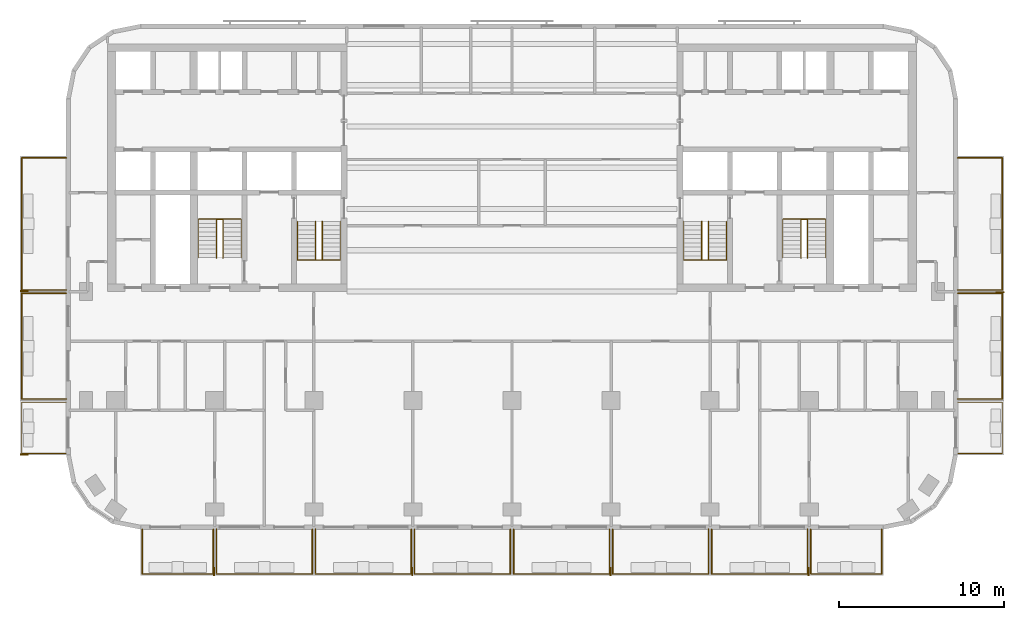
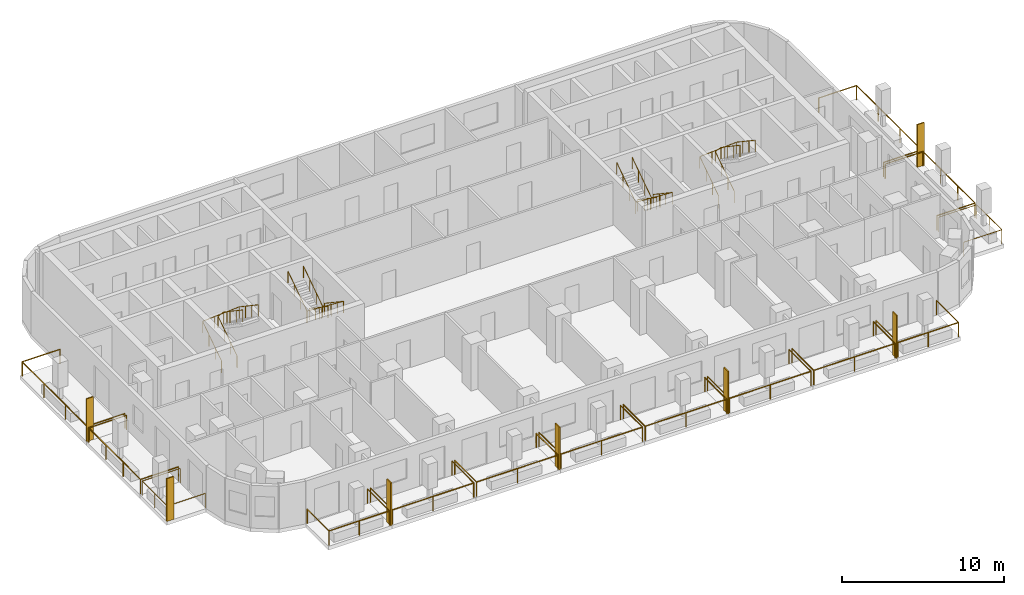
# One storey, part 10 of 12: 22 railings, 7 shading devices.
"""IFC4 building model written with IfcOpenShell, lengths in metres."""

from ifc_helpers import new_model, si_unit, direction, frame, origin, origin_2d, place, context, subcontext, project, spatial, rectangle, circle, extrude, material, layer, layer_set, type_object, element, save


model = new_model("IFC4")

# Units and contexts
model_context = context("Model", 3, precision=1e-05, world=origin(), true_north=direction((0.0, 1.0)))
body_context = subcontext(model_context, "Body", "Model", "MODEL_VIEW")
ifc_project = project(units=[si_unit("LENGTHUNIT", "METRE"), si_unit("AREAUNIT", "SQUARE_METRE"), si_unit("VOLUMEUNIT", "CUBIC_METRE"), si_unit("PLANEANGLEUNIT", "RADIAN"), si_unit("MASSUNIT", "GRAM", prefix="KILO")], contexts=[model_context])

# Site, building, storey
site_placement = place(None, origin())
site = spatial("IfcSite", under=ifc_project, at=site_placement, CompositionType="ELEMENT")
building_placement = place(site_placement, origin())
building = spatial("IfcBuilding", under=site, at=building_placement, Name="Torana Hotel and Residences", CompositionType="ELEMENT")
storey_placement = place(building_placement, frame((0.0, 0.0, 197.60009765625)))
storey = spatial("IfcBuildingStorey", under=building, at=storey_placement, Name="L51", CompositionType="ELEMENT", Elevation=197.60009765625)

# Shading devices
ifc_material_1 = material(Name="Black powder coated aluminium", Category="aluminium")
ifc_layer = layer(ifc_material_1, 0.080078125)
ifc_layer_set = layer_set([ifc_layer], Name="FN1 VERTICAL FIN 500x80")
shading_device_type = type_object("IfcShadingDeviceType", Name="FN1 VERTICAL FIN 500x80", PredefinedType="USERDEFINED", material=ifc_layer_set)
for number, where, z_axis, x_axis, name in (
    (1, (-18.0400390625, -31.949951171875, 0.0), (0.0, 0.0, 1.0), (-1.0, 0.0, 0.0), "Fin 01"),
    (2, (-6.0400390625, -31.949951171875, 0.0), (0.0, 0.0, 1.0), (-1.0, 0.0, 0.0), "Fin 03"),
    (3, (5.9599609375, -31.949951171875, 0.0), (0.0, 0.0, 1.0), (-1.0, 0.0, 0.0), "Fin 05"),
    (4, (17.9599609375, -31.949951171875, 0.0), (0.0, 0.0, 1.0), (-1.0, 0.0, 0.0), "Fin 07"),
    (5, (-29.550048828125, -24.860107421875, 0.0), (0.0, 0.0, 1.0), (0.0, 1.0, 0.0), "Fin 09"),
    (6, (-29.550048828125, -14.9599609375, 0.0), (0.0, 0.0, 1.0), (0.0, 1.0, 0.0), "Fin 11"),
    (7, (29.550048828125, -15.0400390625, 0.0), (0.0, 0.0, 1.0), (0.0, -1.0, 0.0), "Fin 13"),
):
    element("IfcShadingDevice", number, at=place(storey_placement, frame(where, z_axis=z_axis, x_axis=x_axis)), inside=storey, type_object=shading_device_type, Name=name, ObjectType="FIN", PredefinedType="USERDEFINED", context=body_context, shape_type="SweptSolid", body=[
        extrude(rectangle(XDim=0.080078125, YDim=0.5, at=origin_2d()), origin(), (0.0, 0.0, 1.0), 3.219970703125),
    ])

# Railings
ifc_material_2 = material(Name="Laminated glass balustrade with black handrail", Category="glass")
railing_type_1 = type_object("IfcRailingType", Name="GR1 BALCONY GUARD 1100 GLASS", PredefinedType="GUARDRAIL", material=ifc_material_2)
railing_1_placement = place(storey_placement, frame((-18.10009765625, -29.39990234375, 0.0)))
element("IfcRailing", 8, at=railing_1_placement, inside=storey, type_object=railing_type_1, Name="Balcony guard 01", PredefinedType="GUARDRAIL", context=body_context, shape_type="SweptSolid", body=[
    extrude(circle(Radius=0.02392578125, at=origin_2d()), frame((0.0, 0.0, 1.076171875), z_axis=(0.0, -1.0, 0.0), x_axis=(1.0, 0.0, 0.0)), (0.0, 0.0, 1.0), 2.7001953125),
    extrude(circle(Radius=0.02392578125, at=origin_2d()), frame((0.0, -2.7001953125, 1.076171875), z_axis=(-1.0, 0.0, 0.0), x_axis=(0.0, -1.0, 0.0)), (0.0, 0.0, 1.0), 4.2998046875),
    extrude(circle(Radius=0.02392578125, at=origin_2d()), frame((-4.2998046875, -2.7001953125, 1.076171875), z_axis=(0.0, 1.0, 0.0), x_axis=(-1.0, 0.0, 0.0)), (0.0, 0.0, 1.0), 2.7001953125),
    extrude(circle(Radius=0.02099609375, at=origin_2d()), origin(), (0.0, 0.0, 1.0), 1.052001953125),
    extrude(circle(Radius=0.02099609375, at=origin_2d()), frame((0.0, -2.7001953125, 0.0)), (0.0, 0.0, 1.0), 1.052001953125),
    extrude(circle(Radius=0.02099609375, at=origin_2d()), frame((-2.14990234375, -2.7001953125, 0.0)), (0.0, 0.0, 1.0), 1.052001953125),
    extrude(circle(Radius=0.02099609375, at=origin_2d()), frame((-4.2998046875, -2.7001953125, 0.0)), (0.0, 0.0, 1.0), 1.052001953125),
    extrude(circle(Radius=0.02099609375, at=origin_2d()), frame((-4.2998046875, 0.0, 0.0)), (0.0, 0.0, 1.0), 1.052001953125),
])
for number, where, name in (
    (9, (-12.10009765625, -29.39990234375, 0.0), "Balcony guard 02"),
    (10, (-6.10009765625, -29.39990234375, 0.0), "Balcony guard 03"),
    (11, (-0.10009765625, -29.39990234375, 0.0), "Balcony guard 04"),
    (12, (5.89990234375, -29.39990234375, 0.0), "Balcony guard 05"),
    (13, (11.89990234375, -29.39990234375, 0.0), "Balcony guard 06"),
    (14, (17.89990234375, -29.39990234375, 0.0), "Balcony guard 07"),
):
    element("IfcRailing", number, at=place(storey_placement, frame(where)), inside=storey, type_object=railing_type_1, Name=name, PredefinedType="GUARDRAIL", context=body_context, shape_type="SweptSolid", body=[
        extrude(circle(Radius=0.02392578125, at=origin_2d()), frame((0.0, 0.0, 1.076171875), z_axis=(0.0, -1.0, 0.0), x_axis=(1.0, 0.0, 0.0)), (0.0, 0.0, 1.0), 2.7001953125),
        extrude(circle(Radius=0.02392578125, at=origin_2d()), frame((0.0, -2.7001953125, 1.076171875), z_axis=(-1.0, 0.0, 0.0), x_axis=(0.0, -1.0, 0.0)), (0.0, 0.0, 1.0), 5.7998046875),
        extrude(circle(Radius=0.02392578125, at=origin_2d()), frame((-5.7998046875, -2.7001953125, 1.076171875), z_axis=(0.0, 1.0, 0.0), x_axis=(-1.0, 0.0, 0.0)), (0.0, 0.0, 1.0), 2.7001953125),
        extrude(circle(Radius=0.02099609375, at=origin_2d()), origin(), (0.0, 0.0, 1.0), 1.052001953125),
        extrude(circle(Radius=0.02099609375, at=origin_2d()), frame((0.0, -2.7001953125, 0.0)), (0.0, 0.0, 1.0), 1.052001953125),
        extrude(circle(Radius=0.02099609375, at=origin_2d()), frame((-2.89990234375, -2.7001953125, 0.0)), (0.0, 0.0, 1.0), 1.052001953125),
        extrude(circle(Radius=0.02099609375, at=origin_2d()), frame((-5.7998046875, -2.7001953125, 0.0)), (0.0, 0.0, 1.0), 1.052001953125),
        extrude(circle(Radius=0.02099609375, at=origin_2d()), frame((-5.7998046875, 0.0, 0.0)), (0.0, 0.0, 1.0), 1.052001953125),
    ])
railing_2_placement = place(storey_placement, frame((22.39990234375, -29.39990234375, 0.0)))
element("IfcRailing", 15, at=railing_2_placement, inside=storey, type_object=railing_type_1, Name="Balcony guard 08", PredefinedType="GUARDRAIL", context=body_context, shape_type="SweptSolid", body=[
    extrude(circle(Radius=0.02392578125, at=origin_2d()), frame((0.0, 0.0, 1.076171875), z_axis=(0.0, -1.0, 0.0), x_axis=(1.0, 0.0, 0.0)), (0.0, 0.0, 1.0), 2.7001953125),
    extrude(circle(Radius=0.02392578125, at=origin_2d()), frame((0.0, -2.7001953125, 1.076171875), z_axis=(-1.0, 0.0, 0.0), x_axis=(0.0, -1.0, 0.0)), (0.0, 0.0, 1.0), 4.2998046875),
    extrude(circle(Radius=0.02392578125, at=origin_2d()), frame((-4.2998046875, -2.7001953125, 1.076171875), z_axis=(0.0, 1.0, 0.0), x_axis=(-1.0, 0.0, 0.0)), (0.0, 0.0, 1.0), 2.7001953125),
    extrude(circle(Radius=0.02099609375, at=origin_2d()), origin(), (0.0, 0.0, 1.0), 1.052001953125),
    extrude(circle(Radius=0.02099609375, at=origin_2d()), frame((0.0, -2.7001953125, 0.0)), (0.0, 0.0, 1.0), 1.052001953125),
    extrude(circle(Radius=0.02099609375, at=origin_2d()), frame((-2.14990234375, -2.7001953125, 0.0)), (0.0, 0.0, 1.0), 1.052001953125),
    extrude(circle(Radius=0.02099609375, at=origin_2d()), frame((-4.2998046875, -2.7001953125, 0.0)), (0.0, 0.0, 1.0), 1.052001953125),
    extrude(circle(Radius=0.02099609375, at=origin_2d()), frame((-4.2998046875, 0.0, 0.0)), (0.0, 0.0, 1.0), 1.052001953125),
])
railing_3_placement = place(storey_placement, frame((-27.0, -24.800048828125, 0.0)))
element("IfcRailing", 16, at=railing_3_placement, inside=storey, type_object=railing_type_1, Name="Balcony guard 09", PredefinedType="GUARDRAIL", context=body_context, shape_type="SweptSolid", body=[
    extrude(circle(Radius=0.02392578125, at=origin_2d()), frame((0.0, 0.0, 1.076171875), z_axis=(-1.0, 0.0, 0.0), x_axis=(0.0, -1.0, 0.0)), (0.0, 0.0, 1.0), 2.699951171875),
    extrude(circle(Radius=0.02392578125, at=origin_2d()), frame((-2.699951171875, 0.0, 1.076171875), z_axis=(0.0, 1.0, 0.0), x_axis=(-1.0, 0.0, 0.0)), (0.0, 0.0, 1.0), 3.10009765625),
    extrude(circle(Radius=0.02392578125, at=origin_2d()), frame((-2.699951171875, 3.10009765625, 1.076171875), z_axis=(1.0, 0.0, 0.0), x_axis=(0.0, 1.0, 0.0)), (0.0, 0.0, 1.0), 2.699951171875),
    extrude(circle(Radius=0.02099609375, at=origin_2d()), origin(), (0.0, 0.0, 1.0), 1.052001953125),
    extrude(circle(Radius=0.02099609375, at=origin_2d()), frame((-2.699951171875, 0.0, 0.0)), (0.0, 0.0, 1.0), 1.052001953125),
    extrude(circle(Radius=0.02099609375, at=origin_2d()), frame((-2.699951171875, 1.550048828125, 0.0)), (0.0, 0.0, 1.0), 1.052001953125),
    extrude(circle(Radius=0.02099609375, at=origin_2d()), frame((-2.699951171875, 3.10009765625, 0.0)), (0.0, 0.0, 1.0), 1.052001953125),
    extrude(circle(Radius=0.02099609375, at=origin_2d()), frame((0.0, 3.10009765625, 0.0)), (0.0, 0.0, 1.0), 1.052001953125),
])
railing_4_placement = place(storey_placement, frame((-27.0, -21.5, 0.0)))
element("IfcRailing", 17, at=railing_4_placement, inside=storey, type_object=railing_type_1, Name="Balcony guard 10", PredefinedType="GUARDRAIL", context=body_context, shape_type="SweptSolid", body=[
    extrude(circle(Radius=0.02392578125, at=origin_2d()), frame((0.0, 0.0, 1.076171875), z_axis=(-1.0, 0.0, 0.0), x_axis=(0.0, -1.0, 0.0)), (0.0, 0.0, 1.0), 2.699951171875),
    extrude(circle(Radius=0.02392578125, at=origin_2d()), frame((-2.699951171875, 0.0, 1.076171875), z_axis=(0.0, 1.0, 0.0), x_axis=(-1.0, 0.0, 0.0)), (0.0, 0.0, 1.0), 6.39990234375),
    extrude(circle(Radius=0.02392578125, at=origin_2d()), frame((-2.699951171875, 6.39990234375, 1.076171875), z_axis=(1.0, 0.0, 0.0), x_axis=(0.0, 1.0, 0.0)), (0.0, 0.0, 1.0), 2.699951171875),
    extrude(circle(Radius=0.02099609375, at=origin_2d()), origin(), (0.0, 0.0, 1.0), 1.052001953125),
    extrude(circle(Radius=0.02099609375, at=origin_2d()), frame((-2.699951171875, 0.0, 0.0)), (0.0, 0.0, 1.0), 1.052001953125),
    extrude(circle(Radius=0.02099609375, at=origin_2d()), frame((-2.699951171875, 2.13330078125, 0.0)), (0.0, 0.0, 1.0), 1.052001953125),
    extrude(circle(Radius=0.02099609375, at=origin_2d()), frame((-2.699951171875, 4.2666015625, 0.0)), (0.0, 0.0, 1.0), 1.052001953125),
    extrude(circle(Radius=0.02099609375, at=origin_2d()), frame((-2.699951171875, 6.39990234375, 0.0)), (0.0, 0.0, 1.0), 1.052001953125),
    extrude(circle(Radius=0.02099609375, at=origin_2d()), frame((0.0, 6.39990234375, 0.0)), (0.0, 0.0, 1.0), 1.052001953125),
])
railing_5_placement = place(storey_placement, frame((-27.0, -14.89990234375, 0.0)))
element("IfcRailing", 18, at=railing_5_placement, inside=storey, type_object=railing_type_1, Name="Balcony guard 11", PredefinedType="GUARDRAIL", context=body_context, shape_type="SweptSolid", body=[
    extrude(circle(Radius=0.02392578125, at=origin_2d()), frame((0.0, 0.0, 1.076171875), z_axis=(-1.0, 0.0, 0.0), x_axis=(0.0, -1.0, 0.0)), (0.0, 0.0, 1.0), 2.699951171875),
    extrude(circle(Radius=0.02392578125, at=origin_2d()), frame((-2.699951171875, 0.0, 1.076171875), z_axis=(0.0, 1.0, 0.0), x_axis=(-1.0, 0.0, 0.0)), (0.0, 0.0, 1.0), 8.0),
    extrude(circle(Radius=0.02392578125, at=origin_2d()), frame((-2.699951171875, 8.0, 1.076171875), z_axis=(1.0, 0.0, 0.0), x_axis=(0.0, 1.0, 0.0)), (0.0, 0.0, 1.0), 2.699951171875),
    extrude(circle(Radius=0.02099609375, at=origin_2d()), origin(), (0.0, 0.0, 1.0), 1.052001953125),
    extrude(circle(Radius=0.02099609375, at=origin_2d()), frame((-2.699951171875, 0.0, 0.0)), (0.0, 0.0, 1.0), 1.052001953125),
    extrude(circle(Radius=0.02099609375, at=origin_2d()), frame((-2.699951171875, 2.666748046875, 0.0)), (0.0, 0.0, 1.0), 1.052001953125),
    extrude(circle(Radius=0.02099609375, at=origin_2d()), frame((-2.699951171875, 5.333251953125, 0.0)), (0.0, 0.0, 1.0), 1.052001953125),
    extrude(circle(Radius=0.02099609375, at=origin_2d()), frame((-2.699951171875, 8.0, 0.0)), (0.0, 0.0, 1.0), 1.052001953125),
    extrude(circle(Radius=0.02099609375, at=origin_2d()), frame((0.0, 8.0, 0.0)), (0.0, 0.0, 1.0), 1.052001953125),
])
railing_6_placement = place(storey_placement, frame((27.0, -21.699951171875, 0.0)))
element("IfcRailing", 19, at=railing_6_placement, inside=storey, type_object=railing_type_1, Name="Balcony guard 12", PredefinedType="GUARDRAIL", context=body_context, shape_type="SweptSolid", body=[
    extrude(circle(Radius=0.02392578125, at=origin_2d()), frame((0.0, 0.0, 1.076171875), z_axis=(1.0, 0.0, 0.0), x_axis=(0.0, 1.0, 0.0)), (0.0, 0.0, 1.0), 2.699951171875),
    extrude(circle(Radius=0.02392578125, at=origin_2d()), frame((2.699951171875, 0.0, 1.076171875), z_axis=(0.0, -1.0, 0.0), x_axis=(1.0, 0.0, 0.0)), (0.0, 0.0, 1.0), 3.10009765625),
    extrude(circle(Radius=0.02392578125, at=origin_2d()), frame((2.699951171875, -3.10009765625, 1.076171875), z_axis=(-1.0, 0.0, 0.0), x_axis=(0.0, -1.0, 0.0)), (0.0, 0.0, 1.0), 2.699951171875),
    extrude(circle(Radius=0.02099609375, at=origin_2d()), origin(), (0.0, 0.0, 1.0), 1.052001953125),
    extrude(circle(Radius=0.02099609375, at=origin_2d()), frame((2.699951171875, 0.0, 0.0)), (0.0, 0.0, 1.0), 1.052001953125),
    extrude(circle(Radius=0.02099609375, at=origin_2d()), frame((2.699951171875, -1.550048828125, 0.0)), (0.0, 0.0, 1.0), 1.052001953125),
    extrude(circle(Radius=0.02099609375, at=origin_2d()), frame((2.699951171875, -3.10009765625, 0.0)), (0.0, 0.0, 1.0), 1.052001953125),
    extrude(circle(Radius=0.02099609375, at=origin_2d()), frame((0.0, -3.10009765625, 0.0)), (0.0, 0.0, 1.0), 1.052001953125),
])
railing_7_placement = place(storey_placement, frame((27.0, -15.10009765625, 0.0)))
element("IfcRailing", 20, at=railing_7_placement, inside=storey, type_object=railing_type_1, Name="Balcony guard 13", PredefinedType="GUARDRAIL", context=body_context, shape_type="SweptSolid", body=[
    extrude(circle(Radius=0.02392578125, at=origin_2d()), frame((0.0, 0.0, 1.076171875), z_axis=(1.0, 0.0, 0.0), x_axis=(0.0, 1.0, 0.0)), (0.0, 0.0, 1.0), 2.699951171875),
    extrude(circle(Radius=0.02392578125, at=origin_2d()), frame((2.699951171875, 0.0, 1.076171875), z_axis=(0.0, -1.0, 0.0), x_axis=(1.0, 0.0, 0.0)), (0.0, 0.0, 1.0), 6.39990234375),
    extrude(circle(Radius=0.02392578125, at=origin_2d()), frame((2.699951171875, -6.39990234375, 1.076171875), z_axis=(-1.0, 0.0, 0.0), x_axis=(0.0, -1.0, 0.0)), (0.0, 0.0, 1.0), 2.699951171875),
    extrude(circle(Radius=0.02099609375, at=origin_2d()), origin(), (0.0, 0.0, 1.0), 1.052001953125),
    extrude(circle(Radius=0.02099609375, at=origin_2d()), frame((2.699951171875, 0.0, 0.0)), (0.0, 0.0, 1.0), 1.052001953125),
    extrude(circle(Radius=0.02099609375, at=origin_2d()), frame((2.699951171875, -2.13330078125, 0.0)), (0.0, 0.0, 1.0), 1.052001953125),
    extrude(circle(Radius=0.02099609375, at=origin_2d()), frame((2.699951171875, -4.2666015625, 0.0)), (0.0, 0.0, 1.0), 1.052001953125),
    extrude(circle(Radius=0.02099609375, at=origin_2d()), frame((2.699951171875, -6.39990234375, 0.0)), (0.0, 0.0, 1.0), 1.052001953125),
    extrude(circle(Radius=0.02099609375, at=origin_2d()), frame((0.0, -6.39990234375, 0.0)), (0.0, 0.0, 1.0), 1.052001953125),
])
railing_8_placement = place(storey_placement, frame((27.0, -6.89990234375, 0.0)))
element("IfcRailing", 21, at=railing_8_placement, inside=storey, type_object=railing_type_1, Name="Balcony guard 14", PredefinedType="GUARDRAIL", context=body_context, shape_type="SweptSolid", body=[
    extrude(circle(Radius=0.02392578125, at=origin_2d()), frame((0.0, 0.0, 1.076171875), z_axis=(1.0, 0.0, 0.0), x_axis=(0.0, 1.0, 0.0)), (0.0, 0.0, 1.0), 2.699951171875),
    extrude(circle(Radius=0.02392578125, at=origin_2d()), frame((2.699951171875, 0.0, 1.076171875), z_axis=(0.0, -1.0, 0.0), x_axis=(1.0, 0.0, 0.0)), (0.0, 0.0, 1.0), 8.0),
    extrude(circle(Radius=0.02392578125, at=origin_2d()), frame((2.699951171875, -8.0, 1.076171875), z_axis=(-1.0, 0.0, 0.0), x_axis=(0.0, -1.0, 0.0)), (0.0, 0.0, 1.0), 2.699951171875),
    extrude(circle(Radius=0.02099609375, at=origin_2d()), origin(), (0.0, 0.0, 1.0), 1.052001953125),
    extrude(circle(Radius=0.02099609375, at=origin_2d()), frame((2.699951171875, 0.0, 0.0)), (0.0, 0.0, 1.0), 1.052001953125),
    extrude(circle(Radius=0.02099609375, at=origin_2d()), frame((2.699951171875, -2.666748046875, 0.0)), (0.0, 0.0, 1.0), 1.052001953125),
    extrude(circle(Radius=0.02099609375, at=origin_2d()), frame((2.699951171875, -5.333251953125, 0.0)), (0.0, 0.0, 1.0), 1.052001953125),
    extrude(circle(Radius=0.02099609375, at=origin_2d()), frame((2.699951171875, -8.0, 0.0)), (0.0, 0.0, 1.0), 1.052001953125),
    extrude(circle(Radius=0.02099609375, at=origin_2d()), frame((0.0, -8.0, 0.0)), (0.0, 0.0, 1.0), 1.052001953125),
])
ifc_material_3 = material(Name="Stainless steel 316", Category="steel")
railing_type_2 = type_object("IfcRailingType", Name="STAIR HANDRAIL HR1 900", PredefinedType="HANDRAIL", material=ifc_material_3)
railing_9_placement = place(storey_placement, frame((-10.39990234375, -10.75, 0.1748046875)))
element("IfcRailing", 22, at=railing_9_placement, inside=storey, type_object=railing_type_2, Name="Handrail ST1 L51 O1", PredefinedType="HANDRAIL", context=body_context, shape_type="SweptSolid", body=[
    extrude(circle(Radius=0.02392578125, at=origin_2d()), frame((0.0, 0.0, 0.8759765625), z_axis=(0.0, -0.829565388462, 0.558409586474), x_axis=(1.0, 0.0, 0.0)), (0.0, 0.0, 1.0), 2.82080078125),
    extrude(circle(Radius=0.02392578125, at=origin_2d()), frame((0.0, -2.340087890625, 2.451171875), z_axis=(-0.997747692642, 0.0, 0.067078624219), x_axis=(0.0, -1.0, 0.0)), (0.0, 0.0, 1.0), 2.60595703125),
    extrude(circle(Radius=0.02392578125, at=origin_2d()), frame((-2.60009765625, -2.340087890625, 2.6259765625), z_axis=(0.0, 0.829565388462, 0.558409586474), x_axis=(-1.0, 0.0, 0.0)), (0.0, 0.0, 1.0), 2.82080078125),
    extrude(circle(Radius=0.02099609375, at=origin_2d()), origin(), (0.0, 0.0, 1.0), 0.851806640625),
    extrude(circle(Radius=0.02099609375, at=origin_2d()), frame((0.0, -0.780029296875, 0.525146484375)), (0.0, 0.0, 1.0), 0.851806640625),
    extrude(circle(Radius=0.02099609375, at=origin_2d()), frame((0.0, -1.56005859375, 1.050048828125)), (0.0, 0.0, 1.0), 0.851806640625),
    extrude(circle(Radius=0.02099609375, at=origin_2d()), frame((0.0, -2.340087890625, 1.5751953125)), (0.0, 0.0, 1.0), 0.851806640625),
    extrude(circle(Radius=0.02099609375, at=origin_2d()), frame((-0.86669921875, -2.340087890625, 1.633544921875)), (0.0, 0.0, 1.0), 0.851806640625),
    extrude(circle(Radius=0.02099609375, at=origin_2d()), frame((-1.7333984375, -2.340087890625, 1.691650390625)), (0.0, 0.0, 1.0), 0.851806640625),
    extrude(circle(Radius=0.02099609375, at=origin_2d()), frame((-2.60009765625, -2.340087890625, 1.75)), (0.0, 0.0, 1.0), 0.851806640625),
    extrude(circle(Radius=0.02099609375, at=origin_2d()), frame((-2.60009765625, -1.56005859375, 2.275146484375)), (0.0, 0.0, 1.0), 0.851806640625),
    extrude(circle(Radius=0.02099609375, at=origin_2d()), frame((-2.60009765625, -0.780029296875, 2.800048828125)), (0.0, 0.0, 1.0), 0.851806640625),
    extrude(circle(Radius=0.02099609375, at=origin_2d()), frame((-2.60009765625, 0.0, 3.3251953125)), (0.0, 0.0, 1.0), 0.851806640625),
])
railing_10_placement = place(storey_placement, frame((-11.5, -10.75, 0.1748046875)))
element("IfcRailing", 23, at=railing_10_placement, inside=storey, type_object=railing_type_2, Name="Handrail ST1 L51 I1", PredefinedType="HANDRAIL", context=body_context, shape_type="SweptSolid", body=[
    extrude(circle(Radius=0.02392578125, at=origin_2d()), frame((0.0, 0.0, 0.8759765625), z_axis=(0.0, -0.829565388462, 0.558409586474), x_axis=(1.0, 0.0, 0.0)), (0.0, 0.0, 1.0), 2.82080078125),
    extrude(circle(Radius=0.02392578125, at=origin_2d()), frame((0.0, -2.340087890625, 2.451171875), z_axis=(-0.916285673175, 0.0, 0.400525361412), x_axis=(0.0, -1.0, 0.0)), (0.0, 0.0, 1.0), 0.4365234375),
    extrude(circle(Radius=0.02392578125, at=origin_2d()), frame((-0.39990234375, -2.340087890625, 2.6259765625), z_axis=(0.0, 0.829565388462, 0.558409586474), x_axis=(-1.0, 0.0, 0.0)), (0.0, 0.0, 1.0), 2.82080078125),
    extrude(circle(Radius=0.02099609375, at=origin_2d()), origin(), (0.0, 0.0, 1.0), 0.851806640625),
    extrude(circle(Radius=0.02099609375, at=origin_2d()), frame((0.0, -0.780029296875, 0.525146484375)), (0.0, 0.0, 1.0), 0.851806640625),
    extrude(circle(Radius=0.02099609375, at=origin_2d()), frame((0.0, -1.56005859375, 1.050048828125)), (0.0, 0.0, 1.0), 0.851806640625),
    extrude(circle(Radius=0.02099609375, at=origin_2d()), frame((0.0, -2.340087890625, 1.5751953125)), (0.0, 0.0, 1.0), 0.851806640625),
    extrude(circle(Radius=0.02099609375, at=origin_2d()), frame((-0.39990234375, -2.340087890625, 1.75)), (0.0, 0.0, 1.0), 0.851806640625),
    extrude(circle(Radius=0.02099609375, at=origin_2d()), frame((-0.39990234375, -1.56005859375, 2.275146484375)), (0.0, 0.0, 1.0), 0.851806640625),
    extrude(circle(Radius=0.02099609375, at=origin_2d()), frame((-0.39990234375, -0.780029296875, 2.800048828125)), (0.0, 0.0, 1.0), 0.851806640625),
    extrude(circle(Radius=0.02099609375, at=origin_2d()), frame((-0.39990234375, 0.0, 3.3251953125)), (0.0, 0.0, 1.0), 0.851806640625),
])
railing_11_placement = place(storey_placement, frame((-19.0, -12.949951171875, 0.1748046875)))
element("IfcRailing", 24, at=railing_11_placement, inside=storey, type_object=railing_type_2, Name="Handrail ST2 L51 O1", PredefinedType="HANDRAIL", context=body_context, shape_type="SweptSolid", body=[
    extrude(circle(Radius=0.02392578125, at=origin_2d()), frame((0.0, 0.0, 0.8759765625), z_axis=(0.0, 0.829538397957, 0.558449681095), x_axis=(-1.0, 0.0, 0.0)), (0.0, 0.0, 1.0), 2.820556640625),
    extrude(circle(Radius=0.02392578125, at=origin_2d()), frame((0.0, 2.33984375, 2.451171875), z_axis=(0.997747692642, 0.0, 0.067078624219), x_axis=(0.0, 1.0, 0.0)), (0.0, 0.0, 1.0), 2.60595703125),
    extrude(circle(Radius=0.02392578125, at=origin_2d()), frame((2.60009765625, 2.33984375, 2.6259765625), z_axis=(0.0, -0.829538397957, 0.558449681095), x_axis=(1.0, 0.0, 0.0)), (0.0, 0.0, 1.0), 2.820556640625),
    extrude(circle(Radius=0.02099609375, at=origin_2d()), origin(), (0.0, 0.0, 1.0), 0.851806640625),
    extrude(circle(Radius=0.02099609375, at=origin_2d()), frame((0.0, 0.780029296875, 0.525146484375)), (0.0, 0.0, 1.0), 0.851806640625),
    extrude(circle(Radius=0.02099609375, at=origin_2d()), frame((0.0, 1.559814453125, 1.050048828125)), (0.0, 0.0, 1.0), 0.851806640625),
    extrude(circle(Radius=0.02099609375, at=origin_2d()), frame((0.0, 2.33984375, 1.5751953125)), (0.0, 0.0, 1.0), 0.851806640625),
    extrude(circle(Radius=0.02099609375, at=origin_2d()), frame((0.86669921875, 2.33984375, 1.633544921875)), (0.0, 0.0, 1.0), 0.851806640625),
    extrude(circle(Radius=0.02099609375, at=origin_2d()), frame((1.7333984375, 2.33984375, 1.691650390625)), (0.0, 0.0, 1.0), 0.851806640625),
    extrude(circle(Radius=0.02099609375, at=origin_2d()), frame((2.60009765625, 2.33984375, 1.75)), (0.0, 0.0, 1.0), 0.851806640625),
    extrude(circle(Radius=0.02099609375, at=origin_2d()), frame((2.60009765625, 1.559814453125, 2.275146484375)), (0.0, 0.0, 1.0), 0.851806640625),
    extrude(circle(Radius=0.02099609375, at=origin_2d()), frame((2.60009765625, 0.780029296875, 2.800048828125)), (0.0, 0.0, 1.0), 0.851806640625),
    extrude(circle(Radius=0.02099609375, at=origin_2d()), frame((2.60009765625, 0.0, 3.3251953125)), (0.0, 0.0, 1.0), 0.851806640625),
])
railing_12_placement = place(storey_placement, frame((-17.89990234375, -12.949951171875, 0.1748046875)))
element("IfcRailing", 25, at=railing_12_placement, inside=storey, type_object=railing_type_2, Name="Handrail ST2 L51 I1", PredefinedType="HANDRAIL", context=body_context, shape_type="SweptSolid", body=[
    extrude(circle(Radius=0.02392578125, at=origin_2d()), frame((0.0, 0.0, 0.8759765625), z_axis=(0.0, 0.829538397957, 0.558449681095), x_axis=(-1.0, 0.0, 0.0)), (0.0, 0.0, 1.0), 2.820556640625),
    extrude(circle(Radius=0.02392578125, at=origin_2d()), frame((0.0, 2.33984375, 2.451171875), z_axis=(0.916285673175, 0.0, 0.400525361412), x_axis=(0.0, 1.0, 0.0)), (0.0, 0.0, 1.0), 0.4365234375),
    extrude(circle(Radius=0.02392578125, at=origin_2d()), frame((0.39990234375, 2.33984375, 2.6259765625), z_axis=(0.0, -0.829538397957, 0.558449681095), x_axis=(1.0, 0.0, 0.0)), (0.0, 0.0, 1.0), 2.820556640625),
    extrude(circle(Radius=0.02099609375, at=origin_2d()), origin(), (0.0, 0.0, 1.0), 0.851806640625),
    extrude(circle(Radius=0.02099609375, at=origin_2d()), frame((0.0, 0.780029296875, 0.525146484375)), (0.0, 0.0, 1.0), 0.851806640625),
    extrude(circle(Radius=0.02099609375, at=origin_2d()), frame((0.0, 1.559814453125, 1.050048828125)), (0.0, 0.0, 1.0), 0.851806640625),
    extrude(circle(Radius=0.02099609375, at=origin_2d()), frame((0.0, 2.33984375, 1.5751953125)), (0.0, 0.0, 1.0), 0.851806640625),
    extrude(circle(Radius=0.02099609375, at=origin_2d()), frame((0.39990234375, 2.33984375, 1.75)), (0.0, 0.0, 1.0), 0.851806640625),
    extrude(circle(Radius=0.02099609375, at=origin_2d()), frame((0.39990234375, 1.559814453125, 2.275146484375)), (0.0, 0.0, 1.0), 0.851806640625),
    extrude(circle(Radius=0.02099609375, at=origin_2d()), frame((0.39990234375, 0.780029296875, 2.800048828125)), (0.0, 0.0, 1.0), 0.851806640625),
    extrude(circle(Radius=0.02099609375, at=origin_2d()), frame((0.39990234375, 0.0, 3.3251953125)), (0.0, 0.0, 1.0), 0.851806640625),
])
railing_13_placement = place(storey_placement, frame((13.0, -10.75, 0.1748046875)))
element("IfcRailing", 26, at=railing_13_placement, inside=storey, type_object=railing_type_2, Name="Handrail ST3 L51 O1", PredefinedType="HANDRAIL", context=body_context, shape_type="SweptSolid", body=[
    extrude(circle(Radius=0.02392578125, at=origin_2d()), frame((0.0, 0.0, 0.8759765625), z_axis=(0.0, -0.829565388462, 0.558409586474), x_axis=(1.0, 0.0, 0.0)), (0.0, 0.0, 1.0), 2.82080078125),
    extrude(circle(Radius=0.02392578125, at=origin_2d()), frame((0.0, -2.340087890625, 2.451171875), z_axis=(-0.997747692642, 0.0, 0.067078624219), x_axis=(0.0, -1.0, 0.0)), (0.0, 0.0, 1.0), 2.60595703125),
    extrude(circle(Radius=0.02392578125, at=origin_2d()), frame((-2.60009765625, -2.340087890625, 2.6259765625), z_axis=(0.0, 0.829565388462, 0.558409586474), x_axis=(-1.0, 0.0, 0.0)), (0.0, 0.0, 1.0), 2.82080078125),
    extrude(circle(Radius=0.02099609375, at=origin_2d()), origin(), (0.0, 0.0, 1.0), 0.851806640625),
    extrude(circle(Radius=0.02099609375, at=origin_2d()), frame((0.0, -0.780029296875, 0.525146484375)), (0.0, 0.0, 1.0), 0.851806640625),
    extrude(circle(Radius=0.02099609375, at=origin_2d()), frame((0.0, -1.56005859375, 1.050048828125)), (0.0, 0.0, 1.0), 0.851806640625),
    extrude(circle(Radius=0.02099609375, at=origin_2d()), frame((0.0, -2.340087890625, 1.5751953125)), (0.0, 0.0, 1.0), 0.851806640625),
    extrude(circle(Radius=0.02099609375, at=origin_2d()), frame((-0.86669921875, -2.340087890625, 1.633544921875)), (0.0, 0.0, 1.0), 0.851806640625),
    extrude(circle(Radius=0.02099609375, at=origin_2d()), frame((-1.7333984375, -2.340087890625, 1.691650390625)), (0.0, 0.0, 1.0), 0.851806640625),
    extrude(circle(Radius=0.02099609375, at=origin_2d()), frame((-2.60009765625, -2.340087890625, 1.75)), (0.0, 0.0, 1.0), 0.851806640625),
    extrude(circle(Radius=0.02099609375, at=origin_2d()), frame((-2.60009765625, -1.56005859375, 2.275146484375)), (0.0, 0.0, 1.0), 0.851806640625),
    extrude(circle(Radius=0.02099609375, at=origin_2d()), frame((-2.60009765625, -0.780029296875, 2.800048828125)), (0.0, 0.0, 1.0), 0.851806640625),
    extrude(circle(Radius=0.02099609375, at=origin_2d()), frame((-2.60009765625, 0.0, 3.3251953125)), (0.0, 0.0, 1.0), 0.851806640625),
])
railing_14_placement = place(storey_placement, frame((11.89990234375, -10.75, 0.1748046875)))
element("IfcRailing", 27, at=railing_14_placement, inside=storey, type_object=railing_type_2, Name="Handrail ST3 L51 I1", PredefinedType="HANDRAIL", context=body_context, shape_type="SweptSolid", body=[
    extrude(circle(Radius=0.02392578125, at=origin_2d()), frame((0.0, 0.0, 0.8759765625), z_axis=(0.0, -0.829565388462, 0.558409586474), x_axis=(1.0, 0.0, 0.0)), (0.0, 0.0, 1.0), 2.82080078125),
    extrude(circle(Radius=0.02392578125, at=origin_2d()), frame((0.0, -2.340087890625, 2.451171875), z_axis=(-0.916285673175, 0.0, 0.400525361412), x_axis=(0.0, -1.0, 0.0)), (0.0, 0.0, 1.0), 0.4365234375),
    extrude(circle(Radius=0.02392578125, at=origin_2d()), frame((-0.39990234375, -2.340087890625, 2.6259765625), z_axis=(0.0, 0.829565388462, 0.558409586474), x_axis=(-1.0, 0.0, 0.0)), (0.0, 0.0, 1.0), 2.82080078125),
    extrude(circle(Radius=0.02099609375, at=origin_2d()), origin(), (0.0, 0.0, 1.0), 0.851806640625),
    extrude(circle(Radius=0.02099609375, at=origin_2d()), frame((0.0, -0.780029296875, 0.525146484375)), (0.0, 0.0, 1.0), 0.851806640625),
    extrude(circle(Radius=0.02099609375, at=origin_2d()), frame((0.0, -1.56005859375, 1.050048828125)), (0.0, 0.0, 1.0), 0.851806640625),
    extrude(circle(Radius=0.02099609375, at=origin_2d()), frame((0.0, -2.340087890625, 1.5751953125)), (0.0, 0.0, 1.0), 0.851806640625),
    extrude(circle(Radius=0.02099609375, at=origin_2d()), frame((-0.39990234375, -2.340087890625, 1.75)), (0.0, 0.0, 1.0), 0.851806640625),
    extrude(circle(Radius=0.02099609375, at=origin_2d()), frame((-0.39990234375, -1.56005859375, 2.275146484375)), (0.0, 0.0, 1.0), 0.851806640625),
    extrude(circle(Radius=0.02099609375, at=origin_2d()), frame((-0.39990234375, -0.780029296875, 2.800048828125)), (0.0, 0.0, 1.0), 0.851806640625),
    extrude(circle(Radius=0.02099609375, at=origin_2d()), frame((-0.39990234375, 0.0, 3.3251953125)), (0.0, 0.0, 1.0), 0.851806640625),
])
railing_15_placement = place(storey_placement, frame((16.39990234375, -12.949951171875, 0.1748046875)))
element("IfcRailing", 28, at=railing_15_placement, inside=storey, type_object=railing_type_2, Name="Handrail ST4 L51 O1", PredefinedType="HANDRAIL", context=body_context, shape_type="SweptSolid", body=[
    extrude(circle(Radius=0.02392578125, at=origin_2d()), frame((0.0, 0.0, 0.8759765625), z_axis=(0.0, 0.829538397957, 0.558449681095), x_axis=(-1.0, 0.0, 0.0)), (0.0, 0.0, 1.0), 2.820556640625),
    extrude(circle(Radius=0.02392578125, at=origin_2d()), frame((0.0, 2.33984375, 2.451171875), z_axis=(0.997747692642, 0.0, 0.067078624219), x_axis=(0.0, 1.0, 0.0)), (0.0, 0.0, 1.0), 2.60595703125),
    extrude(circle(Radius=0.02392578125, at=origin_2d()), frame((2.60009765625, 2.33984375, 2.6259765625), z_axis=(0.0, -0.829538397957, 0.558449681095), x_axis=(1.0, 0.0, 0.0)), (0.0, 0.0, 1.0), 2.820556640625),
    extrude(circle(Radius=0.02099609375, at=origin_2d()), origin(), (0.0, 0.0, 1.0), 0.851806640625),
    extrude(circle(Radius=0.02099609375, at=origin_2d()), frame((0.0, 0.780029296875, 0.525146484375)), (0.0, 0.0, 1.0), 0.851806640625),
    extrude(circle(Radius=0.02099609375, at=origin_2d()), frame((0.0, 1.559814453125, 1.050048828125)), (0.0, 0.0, 1.0), 0.851806640625),
    extrude(circle(Radius=0.02099609375, at=origin_2d()), frame((0.0, 2.33984375, 1.5751953125)), (0.0, 0.0, 1.0), 0.851806640625),
    extrude(circle(Radius=0.02099609375, at=origin_2d()), frame((0.86669921875, 2.33984375, 1.633544921875)), (0.0, 0.0, 1.0), 0.851806640625),
    extrude(circle(Radius=0.02099609375, at=origin_2d()), frame((1.7333984375, 2.33984375, 1.691650390625)), (0.0, 0.0, 1.0), 0.851806640625),
    extrude(circle(Radius=0.02099609375, at=origin_2d()), frame((2.60009765625, 2.33984375, 1.75)), (0.0, 0.0, 1.0), 0.851806640625),
    extrude(circle(Radius=0.02099609375, at=origin_2d()), frame((2.60009765625, 1.559814453125, 2.275146484375)), (0.0, 0.0, 1.0), 0.851806640625),
    extrude(circle(Radius=0.02099609375, at=origin_2d()), frame((2.60009765625, 0.780029296875, 2.800048828125)), (0.0, 0.0, 1.0), 0.851806640625),
    extrude(circle(Radius=0.02099609375, at=origin_2d()), frame((2.60009765625, 0.0, 3.3251953125)), (0.0, 0.0, 1.0), 0.851806640625),
])
railing_16_placement = place(storey_placement, frame((17.5, -12.949951171875, 0.1748046875)))
element("IfcRailing", 29, at=railing_16_placement, inside=storey, type_object=railing_type_2, Name="Handrail ST4 L51 I1", PredefinedType="HANDRAIL", context=body_context, shape_type="SweptSolid", body=[
    extrude(circle(Radius=0.02392578125, at=origin_2d()), frame((0.0, 0.0, 0.8759765625), z_axis=(0.0, 0.829538397957, 0.558449681095), x_axis=(-1.0, 0.0, 0.0)), (0.0, 0.0, 1.0), 2.820556640625),
    extrude(circle(Radius=0.02392578125, at=origin_2d()), frame((0.0, 2.33984375, 2.451171875), z_axis=(0.916285673175, 0.0, 0.400525361412), x_axis=(0.0, 1.0, 0.0)), (0.0, 0.0, 1.0), 0.4365234375),
    extrude(circle(Radius=0.02392578125, at=origin_2d()), frame((0.39990234375, 2.33984375, 2.6259765625), z_axis=(0.0, -0.829538397957, 0.558449681095), x_axis=(1.0, 0.0, 0.0)), (0.0, 0.0, 1.0), 2.820556640625),
    extrude(circle(Radius=0.02099609375, at=origin_2d()), origin(), (0.0, 0.0, 1.0), 0.851806640625),
    extrude(circle(Radius=0.02099609375, at=origin_2d()), frame((0.0, 0.780029296875, 0.525146484375)), (0.0, 0.0, 1.0), 0.851806640625),
    extrude(circle(Radius=0.02099609375, at=origin_2d()), frame((0.0, 1.559814453125, 1.050048828125)), (0.0, 0.0, 1.0), 0.851806640625),
    extrude(circle(Radius=0.02099609375, at=origin_2d()), frame((0.0, 2.33984375, 1.5751953125)), (0.0, 0.0, 1.0), 0.851806640625),
    extrude(circle(Radius=0.02099609375, at=origin_2d()), frame((0.39990234375, 2.33984375, 1.75)), (0.0, 0.0, 1.0), 0.851806640625),
    extrude(circle(Radius=0.02099609375, at=origin_2d()), frame((0.39990234375, 1.559814453125, 2.275146484375)), (0.0, 0.0, 1.0), 0.851806640625),
    extrude(circle(Radius=0.02099609375, at=origin_2d()), frame((0.39990234375, 0.780029296875, 2.800048828125)), (0.0, 0.0, 1.0), 0.851806640625),
    extrude(circle(Radius=0.02099609375, at=origin_2d()), frame((0.39990234375, 0.0, 3.3251953125)), (0.0, 0.0, 1.0), 0.851806640625),
])

save(model, "model.ifc")
